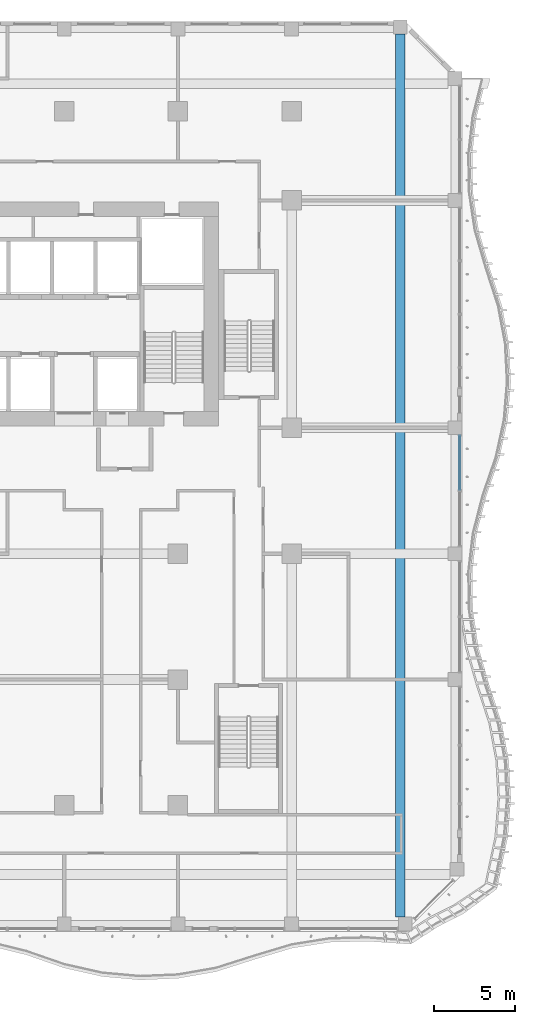
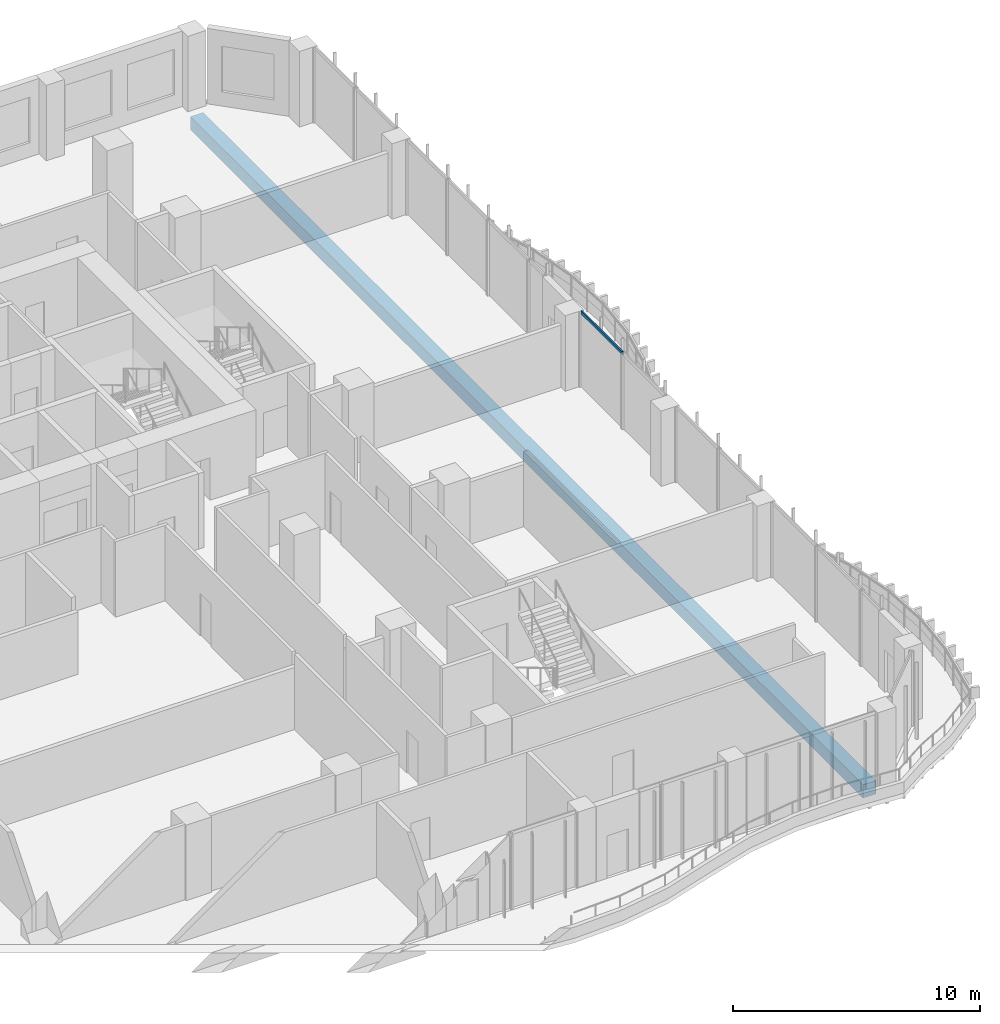
# One storey, part 7 of 26: 1 beam, 1 member, 1 element without a shape of its own.
"""IFC4 building model written with IfcOpenShell, lengths in metres."""

from ifc_helpers import new_model, si_unit, direction, frame, origin, origin_2d, place, context, subcontext, project, spatial, rectangle, extrude, source, transform, mapped, material, material_profile, profile_set, type_object, element, aggregate, save


model = new_model("IFC4")

# Units and contexts
model_context = context("Model", 3, precision=1e-05, world=origin(), true_north=direction((0.0, 1.0)))
body_context = subcontext(model_context, "Body", "Model", "MODEL_VIEW")
ifc_project = project(units=[si_unit("LENGTHUNIT", "METRE"), si_unit("AREAUNIT", "SQUARE_METRE"), si_unit("VOLUMEUNIT", "CUBIC_METRE"), si_unit("PLANEANGLEUNIT", "RADIAN"), si_unit("MASSUNIT", "GRAM", prefix="KILO")], contexts=[model_context])

# Site, building, storey
site_placement = place(None, origin())
site = spatial("IfcSite", under=ifc_project, at=site_placement, CompositionType="ELEMENT")
building_placement = place(site_placement, origin())
building = spatial("IfcBuilding", under=site, at=building_placement, Name="Kilnfold Tower and Market Hall", CompositionType="ELEMENT")
storey_placement = place(building_placement, frame((0.0, 0.0, 104.60009765625)))
storey = spatial("IfcBuildingStorey", under=building, at=storey_placement, Name="L24", CompositionType="ELEMENT", Elevation=104.60009765625)

# Beam
ifc_material_1 = material(Name="Concrete C45", Category="concrete")
ifc_material_profile_1 = material_profile(ifc_material_1, rectangle(XDim=0.60009765625, YDim=0.64990234375, at=origin_2d()), Name="RC 600x650")
ifc_profile_set_1 = profile_set([ifc_material_profile_1], Name="Concrete C45")
beam_type = type_object("IfcBeamType", Name="BEAM 600X650 C45", PredefinedType="BEAM", material=ifc_profile_set_1)
shared_shape_1 = source(origin(), body_context, "Body", "SweptSolid", [
    extrude(rectangle(XDim=0.60009765625, YDim=0.64990234375, at=origin_2d()), origin(), (0.0, 0.0, 1.0), 54.3818359375),
])
beam_placement = place(storey_placement, frame((29.179931640625, -22.125, -0.60498046875), z_axis=(0.0, 1.0, 0.0), x_axis=(-1.0, 0.0, 0.0)))
element("IfcBeam", 1, at=beam_placement, inside=storey, type_object=beam_type, Name="Beam BB650-B3.82", PredefinedType="BEAM", context=body_context, shape_type="MappedRepresentation", body=[
    mapped(shared_shape_1, transform((0.0, 0.0, 0.0))),
])

# Curtain wall, member
ifc_material_2 = material(Name="Aluminium and double glazing", Category="aluminium")
curtain_wall_type = type_object("IfcCurtainWallType", Name="CW OF2 VALLEY GLAZING", PredefinedType="NOTDEFINED", material=ifc_material_2)
curtain_wall_placement = place(storey_placement, origin())
curtain_wall = element("IfcCurtainWall", 2, at=curtain_wall_placement, inside=storey, type_object=curtain_wall_type, Name="Curtain wall CW2 L24 E", PredefinedType="NOTDEFINED")
ifc_material_3 = material(Name="Aluminium", Category="aluminium")
ifc_material_profile_2 = material_profile(ifc_material_3, rectangle(XDim=0.06005859375, YDim=0.159912109375, at=origin_2d()), Name="TRANSOM 60x160")
ifc_profile_set_2 = profile_set([ifc_material_profile_2], Name="Aluminium")
member_type = type_object("IfcMemberType", Name="TRANSOM 60X160", PredefinedType="USERDEFINED", material=ifc_profile_set_2)
shared_shape_2 = source(origin(), body_context, "Body", "SweptSolid", [
    extrude(rectangle(XDim=0.06005859375, YDim=0.159912109375, at=origin_2d()), origin(), (0.0, 0.0, 1.0), 3.329833984375),
])
member_placement = place(storey_placement, frame((32.85009765625, 4.18505859375, 3.68994140625), z_axis=(0.0, 1.0, 0.0), x_axis=(-1.0, 0.0, 0.0)))
member = element("IfcMember", 3, at=member_placement, type_object=member_type, Name="CW2 transom 1.2", ObjectType="TRANSOM", PredefinedType="USERDEFINED", context=body_context, shape_type="MappedRepresentation", body=[
    mapped(shared_shape_2, transform((0.0, 0.0, 0.0))),
])
aggregate(curtain_wall, [member])

save(model, "model.ifc")
